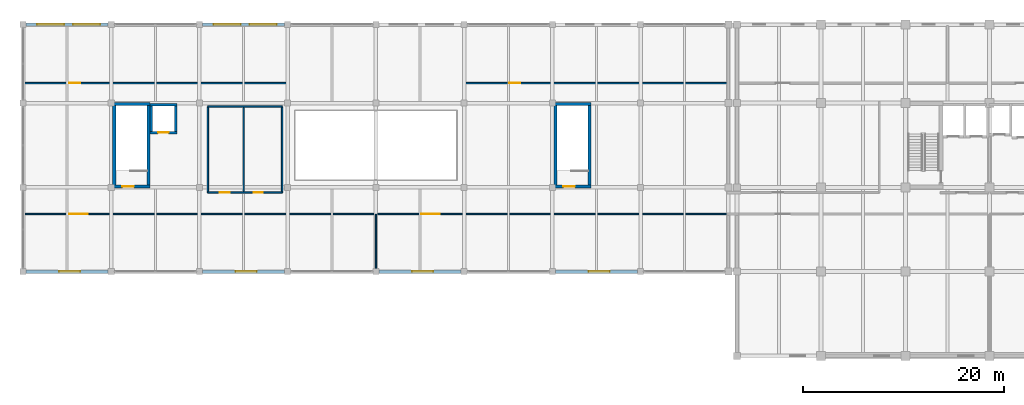
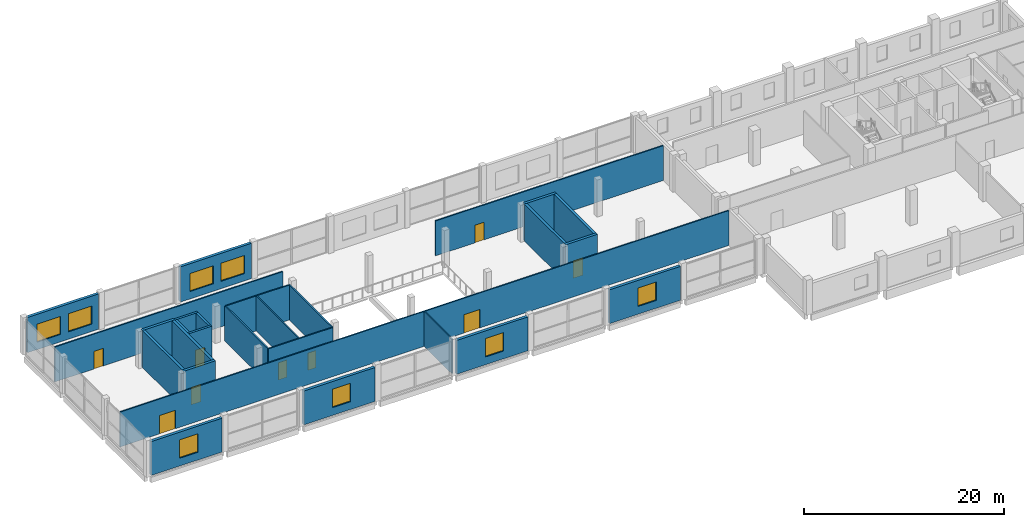
# One storey, part 13 of 18: 28 walls, 9 doors, 8 windows, 17 openings.
"""IFC4 building model written with IfcOpenShell, lengths in metres."""

from ifc_helpers import new_model, si_unit, direction, frame, frame_2d, origin, place, context, subcontext, project, spatial, rectangle, extrude, material, layer, layer_set, type_object, element, fill, save


model = new_model("IFC4")

# Units and contexts
model_context = context("Model", 3, precision=1e-05, world=origin(), true_north=direction((0.0, 1.0)))
body_context = subcontext(model_context, "Body", "Model", "MODEL_VIEW")
ifc_project = project(units=[si_unit("LENGTHUNIT", "METRE"), si_unit("AREAUNIT", "SQUARE_METRE"), si_unit("VOLUMEUNIT", "CUBIC_METRE"), si_unit("PLANEANGLEUNIT", "RADIAN"), si_unit("MASSUNIT", "GRAM", prefix="KILO")], contexts=[model_context])

# Site, building, storey
site_placement = place(None, origin())
site = spatial("IfcSite", under=ifc_project, at=site_placement, CompositionType="ELEMENT")
building_placement = place(site_placement, origin())
building = spatial("IfcBuilding", under=site, at=building_placement, Name="Brinegate Botanical Conservatory", CompositionType="ELEMENT")
storey_placement = place(building_placement, frame((0.0, 0.0, 14.699951171875)))
storey = spatial("IfcBuildingStorey", under=building, at=storey_placement, Name="L04", CompositionType="ELEMENT", Elevation=14.699951171875)

# Wall, openings, windows
ifc_material_1 = material(Name="Insulated Minnan red clay brick masonry", Category="masonry")
ifc_layer_1 = layer(ifc_material_1, 0.320068359375, Name="Insulated Minnan red clay brick masonry", Category="masonry")
ifc_layer_set_1 = layer_set([ifc_layer_1], Name="Insulated Minnan red clay brick masonry")
wall_type_1 = type_object("IfcWallType", Name="Wall_EW-320B", PredefinedType="STANDARD", material=ifc_layer_set_1)
wall_1_placement = place(storey_placement, frame((51.10009765625, 111.449951171875, 0.0), z_axis=(0.0, 0.0, 1.0), x_axis=(1.0, 0.0, 0.0)))
wall_1 = element("IfcWall", 1, at=wall_1_placement, inside=storey, type_object=wall_type_1, Name="Visitor north brick bay wall L04.1", PredefinedType="STANDARD", context=body_context, shape_type="SweptSolid", body=[
    extrude(rectangle(XDim=8.199951171875, YDim=0.320068359375, at=frame_2d((4.10009765625, 0.0))), origin(), (0.0, 0.0, 1.0), 4.300048828125),
])
opening_1_placement = place(wall_1_placement, frame((1.10009765625, 0.0, 0.89990234375)))
opening_1 = element("IfcOpeningElement", 2, at=opening_1_placement, cuts=wall_1, Name="Opening WN-10", PredefinedType="OPENING", context=body_context, shape_type="SweptSolid", body=[
    extrude(rectangle(XDim=2.699951171875, YDim=2.199951171875, at=frame_2d((1.35009765625, 1.10009765625))), frame((0.0, 0.169921875, 0.0), z_axis=(0.0, -1.0, 0.0), x_axis=(1.0, 0.0, 0.0)), (0.0, 0.0, 1.0), 0.340087890625),
])
opening_2_placement = place(wall_1_placement, frame((4.699951171875, 0.0, 0.89990234375)))
opening_2 = element("IfcOpeningElement", 3, at=opening_2_placement, cuts=wall_1, Name="Opening WN-10", PredefinedType="OPENING", context=body_context, shape_type="SweptSolid", body=[
    extrude(rectangle(XDim=2.699951171875, YDim=2.199951171875, at=frame_2d((1.35009765625, 1.10009765625))), frame((0.0, 0.169921875, 0.0), z_axis=(0.0, -1.0, 0.0), x_axis=(1.0, 0.0, 0.0)), (0.0, 0.0, 1.0), 0.340087890625),
])
ifc_material_2 = material(Name="Thermally broken aluminium-framed Low-E glass", Category="aluminium")
window_type_1 = type_object("IfcWindowType", Name="Win_WN-10", PartitioningType="TRIPLE_PANEL_VERTICAL", PredefinedType="WINDOW", material=ifc_material_2)
window_1_placement = place(opening_1_placement, origin())
window_1 = element("IfcWindow", 4, at=window_1_placement, inside=storey, type_object=window_type_1, Name="Visitor north window L04.1A", OverallHeight=2.199951171875, OverallWidth=2.699951171875, PartitioningType="TRIPLE_PANEL_VERTICAL", PredefinedType="WINDOW", context=body_context, shape_type="SweptSolid", body=[
    extrude(rectangle(XDim=2.699951171875, YDim=2.199951171875, at=frame_2d((1.35009765625, 1.10009765625))), frame((0.0, 0.030029296875, 0.0), z_axis=(0.0, -1.0, 0.0), x_axis=(1.0, 0.0, 0.0)), (0.0, 0.0, 1.0), 0.06005859375),
])
fill(opening_1, window_1)
window_2_placement = place(opening_2_placement, origin())
window_2 = element("IfcWindow", 5, at=window_2_placement, inside=storey, type_object=window_type_1, Name="Visitor north window L04.1B", OverallHeight=2.199951171875, OverallWidth=2.699951171875, PartitioningType="TRIPLE_PANEL_VERTICAL", PredefinedType="WINDOW", context=body_context, shape_type="SweptSolid", body=[
    extrude(rectangle(XDim=2.699951171875, YDim=2.199951171875, at=frame_2d((1.35009765625, 1.10009765625))), frame((0.0, 0.030029296875, 0.0), z_axis=(0.0, -1.0, 0.0), x_axis=(1.0, 0.0, 0.0)), (0.0, 0.0, 1.0), 0.06005859375),
])
fill(opening_2, window_2)

# Wall, opening, window
wall_2_placement = place(storey_placement, frame((59.300048828125, 86.800048828125, 0.0), z_axis=(0.0, 0.0, 1.0), x_axis=(-1.0, 0.0, 0.0)))
wall_2 = element("IfcWall", 6, at=wall_2_placement, inside=storey, type_object=wall_type_1, Name="Visitor south brick wall L04.1", PredefinedType="STANDARD", context=body_context, shape_type="SweptSolid", body=[
    extrude(rectangle(XDim=8.199951171875, YDim=0.320068359375, at=frame_2d((4.10009765625, 0.0))), origin(), (0.0, 0.0, 1.0), 4.125),
])
opening_3_placement = place(wall_2_placement, frame((2.800048828125, 0.0, 0.949951171875)))
opening_3 = element("IfcOpeningElement", 7, at=opening_3_placement, cuts=wall_2, Name="Opening WN-30", PredefinedType="OPENING", context=body_context, shape_type="SweptSolid", body=[
    extrude(rectangle(XDim=2.10009765625, YDim=2.25, at=frame_2d((1.050048828125, 1.125))), frame((0.0, 0.169921875, 0.0), z_axis=(0.0, -1.0, 0.0), x_axis=(1.0, 0.0, 0.0)), (0.0, 0.0, 1.0), 0.340087890625),
])
window_type_2 = type_object("IfcWindowType", Name="Win_WN-30", PartitioningType="DOUBLE_PANEL_VERTICAL", PredefinedType="WINDOW", material=ifc_material_2)
window_3_placement = place(opening_3_placement, origin())
window_3 = element("IfcWindow", 8, at=window_3_placement, inside=storey, type_object=window_type_2, Name="Visitor south court window L04.1", OverallHeight=2.25, OverallWidth=2.10009765625, PartitioningType="DOUBLE_PANEL_VERTICAL", PredefinedType="WINDOW", context=body_context, shape_type="SweptSolid", body=[
    extrude(rectangle(XDim=2.10009765625, YDim=2.25, at=frame_2d((1.050048828125, 1.125))), frame((0.0, 0.030029296875, 0.0), z_axis=(0.0, -1.0, 0.0), x_axis=(1.0, 0.0, 0.0)), (0.0, 0.0, 1.0), 0.06005859375),
])
fill(opening_3, window_3)

# Wall, openings, windows
wall_3_placement = place(storey_placement, frame((68.699951171875, 111.449951171875, 0.0), z_axis=(0.0, 0.0, 1.0), x_axis=(1.0, 0.0, 0.0)))
wall_3 = element("IfcWall", 9, at=wall_3_placement, inside=storey, type_object=wall_type_1, Name="Visitor north brick bay wall L04.3", PredefinedType="STANDARD", context=body_context, shape_type="SweptSolid", body=[
    extrude(rectangle(XDim=8.199951171875, YDim=0.320068359375, at=frame_2d((4.10009765625, 0.0))), origin(), (0.0, 0.0, 1.0), 4.300048828125),
])
opening_4_placement = place(wall_3_placement, frame((1.10009765625, 0.0, 0.89990234375)))
opening_4 = element("IfcOpeningElement", 10, at=opening_4_placement, cuts=wall_3, Name="Opening WN-10", PredefinedType="OPENING", context=body_context, shape_type="SweptSolid", body=[
    extrude(rectangle(XDim=2.699951171875, YDim=2.199951171875, at=frame_2d((1.35009765625, 1.10009765625))), frame((0.0, 0.169921875, 0.0), z_axis=(0.0, -1.0, 0.0), x_axis=(1.0, 0.0, 0.0)), (0.0, 0.0, 1.0), 0.340087890625),
])
opening_5_placement = place(wall_3_placement, frame((4.699951171875, 0.0, 0.89990234375)))
opening_5 = element("IfcOpeningElement", 11, at=opening_5_placement, cuts=wall_3, Name="Opening WN-10", PredefinedType="OPENING", context=body_context, shape_type="SweptSolid", body=[
    extrude(rectangle(XDim=2.699951171875, YDim=2.199951171875, at=frame_2d((1.35009765625, 1.10009765625))), frame((0.0, 0.169921875, 0.0), z_axis=(0.0, -1.0, 0.0), x_axis=(1.0, 0.0, 0.0)), (0.0, 0.0, 1.0), 0.340087890625),
])
window_4_placement = place(opening_4_placement, origin())
window_4 = element("IfcWindow", 12, at=window_4_placement, inside=storey, type_object=window_type_1, Name="Visitor north window L04.3A", OverallHeight=2.199951171875, OverallWidth=2.699951171875, PartitioningType="TRIPLE_PANEL_VERTICAL", PredefinedType="WINDOW", context=body_context, shape_type="SweptSolid", body=[
    extrude(rectangle(XDim=2.699951171875, YDim=2.199951171875, at=frame_2d((1.35009765625, 1.10009765625))), frame((0.0, 0.030029296875, 0.0), z_axis=(0.0, -1.0, 0.0), x_axis=(1.0, 0.0, 0.0)), (0.0, 0.0, 1.0), 0.06005859375),
])
fill(opening_4, window_4)
window_5_placement = place(opening_5_placement, origin())
window_5 = element("IfcWindow", 13, at=window_5_placement, inside=storey, type_object=window_type_1, Name="Visitor north window L04.3B", OverallHeight=2.199951171875, OverallWidth=2.699951171875, PartitioningType="TRIPLE_PANEL_VERTICAL", PredefinedType="WINDOW", context=body_context, shape_type="SweptSolid", body=[
    extrude(rectangle(XDim=2.699951171875, YDim=2.199951171875, at=frame_2d((1.35009765625, 1.10009765625))), frame((0.0, 0.030029296875, 0.0), z_axis=(0.0, -1.0, 0.0), x_axis=(1.0, 0.0, 0.0)), (0.0, 0.0, 1.0), 0.06005859375),
])
fill(opening_5, window_5)

# Wall, opening, window
wall_4_placement = place(storey_placement, frame((76.89990234375, 86.800048828125, 0.0), z_axis=(0.0, 0.0, 1.0), x_axis=(-1.0, 0.0, 0.0)))
wall_4 = element("IfcWall", 14, at=wall_4_placement, inside=storey, type_object=wall_type_1, Name="Visitor south brick wall L04.3", PredefinedType="STANDARD", context=body_context, shape_type="SweptSolid", body=[
    extrude(rectangle(XDim=8.199951171875, YDim=0.320068359375, at=frame_2d((4.10009765625, 0.0))), origin(), (0.0, 0.0, 1.0), 4.125),
])
opening_6_placement = place(wall_4_placement, frame((2.800048828125, 0.0, 0.949951171875)))
opening_6 = element("IfcOpeningElement", 15, at=opening_6_placement, cuts=wall_4, Name="Opening WN-30", PredefinedType="OPENING", context=body_context, shape_type="SweptSolid", body=[
    extrude(rectangle(XDim=2.10009765625, YDim=2.25, at=frame_2d((1.050048828125, 1.125))), frame((0.0, 0.169921875, 0.0), z_axis=(0.0, -1.0, 0.0), x_axis=(1.0, 0.0, 0.0)), (0.0, 0.0, 1.0), 0.340087890625),
])
window_6_placement = place(opening_6_placement, origin())
window_6 = element("IfcWindow", 16, at=window_6_placement, inside=storey, type_object=window_type_2, Name="Visitor south court window L04.3", OverallHeight=2.25, OverallWidth=2.10009765625, PartitioningType="DOUBLE_PANEL_VERTICAL", PredefinedType="WINDOW", context=body_context, shape_type="SweptSolid", body=[
    extrude(rectangle(XDim=2.10009765625, YDim=2.25, at=frame_2d((1.050048828125, 1.125))), frame((0.0, 0.030029296875, 0.0), z_axis=(0.0, -1.0, 0.0), x_axis=(1.0, 0.0, 0.0)), (0.0, 0.0, 1.0), 0.06005859375),
])
fill(opening_6, window_6)

wall_5_placement = place(storey_placement, frame((94.5, 86.800048828125, 0.0), z_axis=(0.0, 0.0, 1.0), x_axis=(-1.0, 0.0, 0.0)))
wall_5 = element("IfcWall", 17, at=wall_5_placement, inside=storey, type_object=wall_type_1, Name="Visitor south brick wall L04.5", PredefinedType="STANDARD", context=body_context, shape_type="SweptSolid", body=[
    extrude(rectangle(XDim=8.199951171875, YDim=0.320068359375, at=frame_2d((4.10009765625, 0.0))), origin(), (0.0, 0.0, 1.0), 4.125),
])
opening_7_placement = place(wall_5_placement, frame((2.800048828125, 0.0, 0.949951171875)))
opening_7 = element("IfcOpeningElement", 18, at=opening_7_placement, cuts=wall_5, Name="Opening WN-30", PredefinedType="OPENING", context=body_context, shape_type="SweptSolid", body=[
    extrude(rectangle(XDim=2.10009765625, YDim=2.25, at=frame_2d((1.050048828125, 1.125))), frame((0.0, 0.169921875, 0.0), z_axis=(0.0, -1.0, 0.0), x_axis=(1.0, 0.0, 0.0)), (0.0, 0.0, 1.0), 0.340087890625),
])
window_7_placement = place(opening_7_placement, origin())
window_7 = element("IfcWindow", 19, at=window_7_placement, inside=storey, type_object=window_type_2, Name="Visitor south court window L04.5", OverallHeight=2.25, OverallWidth=2.10009765625, PartitioningType="DOUBLE_PANEL_VERTICAL", PredefinedType="WINDOW", context=body_context, shape_type="SweptSolid", body=[
    extrude(rectangle(XDim=2.10009765625, YDim=2.25, at=frame_2d((1.050048828125, 1.125))), frame((0.0, 0.030029296875, 0.0), z_axis=(0.0, -1.0, 0.0), x_axis=(1.0, 0.0, 0.0)), (0.0, 0.0, 1.0), 0.06005859375),
])
fill(opening_7, window_7)

wall_6_placement = place(storey_placement, frame((112.10009765625, 86.800048828125, 0.0), z_axis=(0.0, 0.0, 1.0), x_axis=(-1.0, 0.0, 0.0)))
wall_6 = element("IfcWall", 20, at=wall_6_placement, inside=storey, type_object=wall_type_1, Name="Visitor south brick wall L04.7", PredefinedType="STANDARD", context=body_context, shape_type="SweptSolid", body=[
    extrude(rectangle(XDim=8.2001953125, YDim=0.320068359375, at=frame_2d((4.10009765625, 0.0))), origin(), (0.0, 0.0, 1.0), 4.125),
])
opening_8_placement = place(wall_6_placement, frame((2.800048828125, 0.0, 0.949951171875)))
opening_8 = element("IfcOpeningElement", 21, at=opening_8_placement, cuts=wall_6, Name="Opening WN-30", PredefinedType="OPENING", context=body_context, shape_type="SweptSolid", body=[
    extrude(rectangle(XDim=2.10009765625, YDim=2.25, at=frame_2d((1.050048828125, 1.125))), frame((0.0, 0.169921875, 0.0), z_axis=(0.0, -1.0, 0.0), x_axis=(1.0, 0.0, 0.0)), (0.0, 0.0, 1.0), 0.340087890625),
])
window_8_placement = place(opening_8_placement, origin())
window_8 = element("IfcWindow", 22, at=window_8_placement, inside=storey, type_object=window_type_2, Name="Visitor south court window L04.7", OverallHeight=2.25, OverallWidth=2.10009765625, PartitioningType="DOUBLE_PANEL_VERTICAL", PredefinedType="WINDOW", context=body_context, shape_type="SweptSolid", body=[
    extrude(rectangle(XDim=2.10009765625, YDim=2.25, at=frame_2d((1.050048828125, 1.125))), frame((0.0, 0.030029296875, 0.0), z_axis=(0.0, -1.0, 0.0), x_axis=(1.0, 0.0, 0.0)), (0.0, 0.0, 1.0), 0.06005859375),
])
fill(opening_8, window_8)

# Walls
ifc_material_3 = material(Name="Gypsum-clad steel-stud partition", Category="steel")
ifc_layer_2 = layer(ifc_material_3, 0.135009765625, Name="Gypsum-clad steel-stud partition", Category="steel")
ifc_layer_set_2 = layer_set([ifc_layer_2], Name="Gypsum-clad steel-stud partition")
wall_type_2 = type_object("IfcWallType", Name="Wall_PW-135", PredefinedType="PARTITIONING", material=ifc_layer_set_2)
wall_7_placement = place(storey_placement, frame((72.820068359375, 94.679931640625, 0.0), z_axis=(0.0, 0.0, 1.0), x_axis=(0.0, 1.0, 0.0)))
element("IfcWall", 23, at=wall_7_placement, inside=storey, type_object=wall_type_2, Name="Interior partition P-L04-V3-WCD", PredefinedType="PARTITIONING", context=body_context, shape_type="SweptSolid", body=[
    extrude(rectangle(XDim=8.570068359375, YDim=0.135009765625, at=frame_2d((4.28515625, 0.0))), origin(), (0.0, 0.0, 1.0), 4.25),
])
wall_8_placement = place(storey_placement, frame((86.0, 86.949951171875, 0.0), z_axis=(0.0, 0.0, 1.0), x_axis=(0.0, 1.0, 0.0)))
element("IfcWall", 24, at=wall_8_placement, inside=storey, type_object=wall_type_2, Name="Interior partition P-L04-VSD-V3-READ2", PredefinedType="PARTITIONING", context=body_context, shape_type="SweptSolid", body=[
    extrude(rectangle(XDim=5.60009765625, YDim=0.135009765625, at=frame_2d((2.800048828125, 0.0))), origin(), (0.0, 0.0, 1.0), 4.25),
])

# Wall, opening, door
ifc_material_4 = material(Name="Gypsum-clad acoustic steel-stud partition", Category="steel")
ifc_layer_3 = layer(ifc_material_4, 0.14501953125, Name="Gypsum-clad acoustic steel-stud partition", Category="steel")
ifc_layer_set_3 = layer_set([ifc_layer_3], Name="Gypsum-clad acoustic steel-stud partition")
wall_type_3 = type_object("IfcWallType", Name="Wall_PW-150", PredefinedType="PARTITIONING", material=ifc_layer_set_3)
wall_9_placement = place(storey_placement, frame((50.919921875, 92.550048828125, 0.0), z_axis=(0.0, 0.0, 1.0), x_axis=(1.0, 0.0, 0.0)))
wall_9 = element("IfcWall", 25, at=wall_9_placement, inside=storey, type_object=wall_type_3, Name="Interior partition P-L04-V3-READ1", PredefinedType="PARTITIONING", context=body_context, shape_type="SweptSolid", body=[
    extrude(rectangle(XDim=35.080078125, YDim=0.14501953125, at=frame_2d((17.5400390625, 0.0))), origin(), (0.0, 0.0, 1.0), 4.25),
])
opening_9_placement = place(wall_9_placement, frame((4.5, 0.0, 0.0)))
opening_9 = element("IfcOpeningElement", 26, at=opening_9_placement, cuts=wall_9, Name="Opening DR-DBL1", PredefinedType="OPENING", context=body_context, shape_type="SweptSolid", body=[
    extrude(rectangle(XDim=1.85009765625, YDim=2.25, at=frame_2d((0.925048828125, 1.125))), frame((0.0, 0.08251953125, 0.0), z_axis=(0.0, -1.0, 0.0), x_axis=(1.0, 0.0, 0.0)), (0.0, 0.0, 1.0), 0.1650390625),
])
ifc_material_5 = material(Name="Anodised aluminium and safety glass", Category="aluminium")
door_type_1 = type_object("IfcDoorType", Name="Door_DR-DBL1", OperationType="NOTDEFINED", PredefinedType="DOOR", material=ifc_material_5)
door_1_placement = place(opening_9_placement, origin())
door_1 = element("IfcDoor", 27, at=door_1_placement, inside=storey, type_object=door_type_1, Name="DR-P-L04-V3-READ1-1", OperationType="SINGLE_SWING_LEFT", OverallHeight=2.25, OverallWidth=1.85009765625, PredefinedType="DOOR", context=body_context, shape_type="SweptSolid", body=[
    extrude(rectangle(XDim=1.85009765625, YDim=2.25, at=frame_2d((0.925048828125, 1.125))), frame((0.0, 0.02490234375, 0.0), z_axis=(0.0, -1.0, 0.0), x_axis=(1.0, 0.0, 0.0)), (0.0, 0.0, 1.0), 0.050048828125),
])
fill(opening_9, door_1)

wall_10_placement = place(storey_placement, frame((86.0, 92.550048828125, 0.0), z_axis=(0.0, 0.0, 1.0), x_axis=(1.0, 0.0, 0.0)))
wall_10 = element("IfcWall", 28, at=wall_10_placement, inside=storey, type_object=wall_type_3, Name="Interior partition P-L04-V3-READ2", PredefinedType="PARTITIONING", context=body_context, shape_type="SweptSolid", body=[
    extrude(rectangle(XDim=35.02001953125, YDim=0.14501953125, at=frame_2d((17.510009765625, 0.0))), origin(), (0.0, 0.0, 1.0), 4.25),
])
opening_10_placement = place(wall_10_placement, frame((4.5, 0.0, 0.0)))
opening_10 = element("IfcOpeningElement", 29, at=opening_10_placement, cuts=wall_10, Name="Opening DR-DBL1", PredefinedType="OPENING", context=body_context, shape_type="SweptSolid", body=[
    extrude(rectangle(XDim=1.85009765625, YDim=2.25, at=frame_2d((0.925048828125, 1.125))), frame((0.0, 0.08251953125, 0.0), z_axis=(0.0, -1.0, 0.0), x_axis=(1.0, 0.0, 0.0)), (0.0, 0.0, 1.0), 0.1650390625),
])
door_2_placement = place(opening_10_placement, origin())
door_2 = element("IfcDoor", 30, at=door_2_placement, inside=storey, type_object=door_type_1, Name="DR-P-L04-V3-READ2-1", OperationType="SINGLE_SWING_LEFT", OverallHeight=2.25, OverallWidth=1.85009765625, PredefinedType="DOOR", context=body_context, shape_type="SweptSolid", body=[
    extrude(rectangle(XDim=1.85009765625, YDim=2.25, at=frame_2d((0.925048828125, 1.125))), frame((0.0, 0.02490234375, 0.0), z_axis=(0.0, -1.0, 0.0), x_axis=(1.0, 0.0, 0.0)), (0.0, 0.0, 1.0), 0.050048828125),
])
fill(opening_10, door_2)

wall_11_placement = place(storey_placement, frame((50.919921875, 105.60009765625, 0.0), z_axis=(0.0, 0.0, 1.0), x_axis=(1.0, 0.0, 0.0)))
wall_11 = element("IfcWall", 31, at=wall_11_placement, inside=storey, type_object=wall_type_3, Name="Interior partition P-L04-V3-SEM1", PredefinedType="PARTITIONING", context=body_context, shape_type="SweptSolid", body=[
    extrude(rectangle(XDim=26.280029296875, YDim=0.14501953125, at=frame_2d((13.14013671875, 0.0))), origin(), (0.0, 0.0, 1.0), 4.25),
])
opening_11_placement = place(wall_11_placement, frame((4.5, 0.0, 0.0)))
opening_11 = element("IfcOpeningElement", 32, at=opening_11_placement, cuts=wall_11, Name="Opening DR-01", PredefinedType="OPENING", context=body_context, shape_type="SweptSolid", body=[
    extrude(rectangle(XDim=1.080078125, YDim=2.14990234375, at=frame_2d((0.5400390625, 1.074951171875))), frame((0.0, 0.08251953125, 0.0), z_axis=(0.0, -1.0, 0.0), x_axis=(1.0, 0.0, 0.0)), (0.0, 0.0, 1.0), 0.1650390625),
])
ifc_material_6 = material(Name="Hardwood timber acoustic leaf", Category="wood")
door_type_2 = type_object("IfcDoorType", Name="Door_DR-01", OperationType="NOTDEFINED", PredefinedType="DOOR", material=ifc_material_6)
door_3_placement = place(opening_11_placement, origin())
door_3 = element("IfcDoor", 33, at=door_3_placement, inside=storey, type_object=door_type_2, Name="DR-P-L04-V3-SEM1-1", OperationType="SINGLE_SWING_RIGHT", OverallHeight=2.14990234375, OverallWidth=1.080078125, PredefinedType="DOOR", context=body_context, shape_type="SweptSolid", body=[
    extrude(rectangle(XDim=1.080078125, YDim=2.14990234375, at=frame_2d((0.5400390625, 1.074951171875))), frame((0.0, 0.02490234375, 0.0), z_axis=(0.0, -1.0, 0.0), x_axis=(1.0, 0.0, 0.0)), (0.0, 0.0, 1.0), 0.050048828125),
])
fill(opening_11, door_3)

wall_12_placement = place(storey_placement, frame((94.800048828125, 105.60009765625, 0.0), z_axis=(0.0, 0.0, 1.0), x_axis=(1.0, 0.0, 0.0)))
wall_12 = element("IfcWall", 34, at=wall_12_placement, inside=storey, type_object=wall_type_3, Name="Interior partition P-L04-V3-ARCH1", PredefinedType="PARTITIONING", context=body_context, shape_type="SweptSolid", body=[
    extrude(rectangle(XDim=26.219970703125, YDim=0.14501953125, at=frame_2d((13.10986328125, 0.0))), origin(), (0.0, 0.0, 1.0), 4.25),
])
opening_12_placement = place(wall_12_placement, frame((4.5, 0.0, 0.0)))
opening_12 = element("IfcOpeningElement", 35, at=opening_12_placement, cuts=wall_12, Name="Opening DR-01", PredefinedType="OPENING", context=body_context, shape_type="SweptSolid", body=[
    extrude(rectangle(XDim=1.080078125, YDim=2.14990234375, at=frame_2d((0.5400390625, 1.074951171875))), frame((0.0, 0.08251953125, 0.0), z_axis=(0.0, -1.0, 0.0), x_axis=(1.0, 0.0, 0.0)), (0.0, 0.0, 1.0), 0.1650390625),
])
door_4_placement = place(opening_12_placement, origin())
door_4 = element("IfcDoor", 36, at=door_4_placement, inside=storey, type_object=door_type_2, Name="DR-P-L04-V3-ARCH1-1", OperationType="SINGLE_SWING_RIGHT", OverallHeight=2.14990234375, OverallWidth=1.080078125, PredefinedType="DOOR", context=body_context, shape_type="SweptSolid", body=[
    extrude(rectangle(XDim=1.080078125, YDim=2.14990234375, at=frame_2d((0.5400390625, 1.074951171875))), frame((0.0, 0.02490234375, 0.0), z_axis=(0.0, -1.0, 0.0), x_axis=(1.0, 0.0, 0.0)), (0.0, 0.0, 1.0), 0.050048828125),
])
fill(opening_12, door_4)

# Wall, openings, doors
ifc_material_7 = material(Name="Moisture-resistant cement-board partition", Category="gypsum")
ifc_layer_4 = layer(ifc_material_7, 0.14990234375, Name="Moisture-resistant cement-board partition", Category="gypsum")
ifc_layer_set_4 = layer_set([ifc_layer_4], Name="Moisture-resistant cement-board partition")
wall_type_4 = type_object("IfcWallType", Name="Wall_PW-150W", PredefinedType="PARTITIONING", material=ifc_layer_set_4)
wall_13_placement = place(storey_placement, frame((69.25, 94.679931640625, 0.0), z_axis=(0.0, 0.0, 1.0), x_axis=(1.0, 0.0, 0.0)))
wall_13 = element("IfcWall", 37, at=wall_13_placement, inside=storey, type_object=wall_type_4, Name="Interior partition P-L04-V3-WCS", PredefinedType="PARTITIONING", context=body_context, shape_type="SweptSolid", body=[
    extrude(rectangle(XDim=7.39990234375, YDim=0.14990234375, at=frame_2d((3.699951171875, 0.0))), origin(), (0.0, 0.0, 1.0), 4.25),
])
opening_13_placement = place(wall_13_placement, frame((1.14990234375, 0.0, 0.0)))
opening_13 = element("IfcOpeningElement", 38, at=opening_13_placement, cuts=wall_13, Name="Opening DR-ACC", PredefinedType="OPENING", context=body_context, shape_type="SweptSolid", body=[
    extrude(rectangle(XDim=1.0, YDim=2.1201171875, at=frame_2d((0.5, 1.06005859375))), frame((0.0, 0.0849609375, 0.0), z_axis=(0.0, -1.0, 0.0), x_axis=(1.0, 0.0, 0.0)), (0.0, 0.0, 1.0), 0.169921875),
])
opening_14_placement = place(wall_13_placement, frame((4.550048828125, 0.0, 0.0)))
opening_14 = element("IfcOpeningElement", 39, at=opening_14_placement, cuts=wall_13, Name="Opening DR-04", PredefinedType="OPENING", context=body_context, shape_type="SweptSolid", body=[
    extrude(rectangle(XDim=0.919921875, YDim=2.10009765625, at=frame_2d((0.4599609375, 1.050048828125))), frame((0.0, 0.0849609375, 0.0), z_axis=(0.0, -1.0, 0.0), x_axis=(1.0, 0.0, 0.0)), (0.0, 0.0, 1.0), 0.169921875),
])
ifc_material_8 = material(Name="Moisture-resistant laminate timber leaf", Category="wood")
door_type_3 = type_object("IfcDoorType", Name="Door_DR-04", OperationType="NOTDEFINED", PredefinedType="DOOR", material=ifc_material_8)
door_5_placement = place(opening_14_placement, origin())
door_5 = element("IfcDoor", 40, at=door_5_placement, inside=storey, type_object=door_type_3, Name="DR-P-L04-V3-WCS-2", OperationType="SINGLE_SWING_LEFT", OverallHeight=2.10009765625, OverallWidth=0.919921875, PredefinedType="DOOR", context=body_context, shape_type="SweptSolid", body=[
    extrude(rectangle(XDim=0.919921875, YDim=2.10009765625, at=frame_2d((0.4599609375, 1.050048828125))), frame((0.0, 0.02490234375, 0.0), z_axis=(0.0, -1.0, 0.0), x_axis=(1.0, 0.0, 0.0)), (0.0, 0.0, 1.0), 0.050048828125),
])
fill(opening_14, door_5)
ifc_material_9 = material(Name="Moisture-resistant barrier-free timber leaf", Category="wood")
door_type_4 = type_object("IfcDoorType", Name="Door_DR-ACC", OperationType="NOTDEFINED", PredefinedType="DOOR", material=ifc_material_9)
door_6_placement = place(opening_13_placement, origin())
door_6 = element("IfcDoor", 41, at=door_6_placement, inside=storey, type_object=door_type_4, Name="DR-P-L04-V3-WCS-1", OperationType="SINGLE_SWING_RIGHT", OverallHeight=2.1201171875, OverallWidth=1.0, PredefinedType="DOOR", context=body_context, shape_type="SweptSolid", body=[
    extrude(rectangle(XDim=1.0, YDim=2.1201171875, at=frame_2d((0.5, 1.06005859375))), frame((0.0, 0.02490234375, 0.0), z_axis=(0.0, -1.0, 0.0), x_axis=(1.0, 0.0, 0.0)), (0.0, 0.0, 1.0), 0.050048828125),
])
fill(opening_13, door_6)

# Walls
wall_14_placement = place(storey_placement, frame((69.25, 94.679931640625, 0.0), z_axis=(0.0, 0.0, 1.0), x_axis=(0.0, 1.0, 0.0)))
element("IfcWall", 42, at=wall_14_placement, inside=storey, type_object=wall_type_4, Name="Interior partition P-L04-V3-WCW", PredefinedType="PARTITIONING", context=body_context, shape_type="SweptSolid", body=[
    extrude(rectangle(XDim=8.570068359375, YDim=0.14990234375, at=frame_2d((4.28515625, 0.0))), origin(), (0.0, 0.0, 1.0), 4.25),
])
wall_15_placement = place(storey_placement, frame((69.25, 103.25, 0.0), z_axis=(0.0, 0.0, 1.0), x_axis=(1.0, 0.0, 0.0)))
element("IfcWall", 43, at=wall_15_placement, inside=storey, type_object=wall_type_4, Name="Interior partition P-L04-V3-WCN", PredefinedType="PARTITIONING", context=body_context, shape_type="SweptSolid", body=[
    extrude(rectangle(XDim=7.39990234375, YDim=0.14990234375, at=frame_2d((3.699951171875, 0.0))), origin(), (0.0, 0.0, 1.0), 4.25),
])
wall_16_placement = place(storey_placement, frame((76.64990234375, 94.679931640625, 0.0), z_axis=(0.0, 0.0, 1.0), x_axis=(0.0, 1.0, 0.0)))
element("IfcWall", 44, at=wall_16_placement, inside=storey, type_object=wall_type_4, Name="Interior partition P-L04-V3-WCE", PredefinedType="PARTITIONING", context=body_context, shape_type="SweptSolid", body=[
    extrude(rectangle(XDim=8.570068359375, YDim=0.14990234375, at=frame_2d((4.28515625, 0.0))), origin(), (0.0, 0.0, 1.0), 4.25),
])

# Wall, opening, door
ifc_material_10 = material(Name="Concrete C40/50", Category="concrete")
ifc_layer_5 = layer(ifc_material_10, 0.25, Name="Concrete C40/50", Category="concrete")
ifc_layer_set_5 = layer_set([ifc_layer_5], Name="Concrete C40/50")
wall_type_5 = type_object("IfcWallType", Name="Wall_SW-250", PredefinedType="SHEAR", material=ifc_layer_set_5)
wall_17_placement = place(storey_placement, frame((63.449951171875, 100.675048828125, 0.0), z_axis=(0.0, 0.0, 1.0), x_axis=(1.0, 0.0, 0.0)))
wall_17 = element("IfcWall", 45, at=wall_17_placement, inside=storey, type_object=wall_type_5, Name="Lift shaft LF5 shear wall L04 S", PredefinedType="SHEAR", context=body_context, shape_type="SweptSolid", body=[
    extrude(rectangle(XDim=2.699951171875, YDim=0.25, at=frame_2d((1.35009765625, 0.0))), origin(), (0.0, 0.0, 1.0), 4.5),
])
opening_15_placement = place(wall_17_placement, frame((0.830078125, 0.0, 0.0)))
opening_15 = element("IfcOpeningElement", 46, at=opening_15_placement, cuts=wall_17, Name="Opening LD-05", PredefinedType="OPENING", context=body_context, shape_type="SweptSolid", body=[
    extrude(rectangle(XDim=1.0400390625, YDim=2.14990234375, at=frame_2d((0.52001953125, 1.074951171875))), frame((0.0, 0.135009765625, 0.0), z_axis=(0.0, -1.0, 0.0), x_axis=(1.0, 0.0, 0.0)), (0.0, 0.0, 1.0), 0.27001953125),
])
ifc_material_11 = material(Name="Brushed stainless steel S355 landing door", Category="steel")
door_type_5 = type_object("IfcDoorType", Name="Door_LD-05", OperationType="SLIDING_TO_LEFT", PredefinedType="DOOR", material=ifc_material_11)
door_7_placement = place(opening_15_placement, origin())
door_7 = element("IfcDoor", 47, at=door_7_placement, inside=storey, type_object=door_type_5, Name="LD-LF5-L04", OperationType="SLIDING_TO_LEFT", OverallHeight=2.14990234375, OverallWidth=1.0400390625, PredefinedType="DOOR", context=body_context, shape_type="SweptSolid", body=[
    extrude(rectangle(XDim=1.0400390625, YDim=2.14990234375, at=frame_2d((0.52001953125, 1.074951171875))), frame((0.0, 0.02490234375, 0.0), z_axis=(0.0, -1.0, 0.0), x_axis=(1.0, 0.0, 0.0)), (0.0, 0.0, 1.0), 0.050048828125),
])
fill(opening_15, door_7)

# Walls
wall_18_placement = place(storey_placement, frame((63.449951171875, 103.425048828125, 0.0), z_axis=(0.0, 0.0, 1.0), x_axis=(1.0, 0.0, 0.0)))
element("IfcWall", 48, at=wall_18_placement, inside=storey, type_object=wall_type_5, Name="Lift shaft LF5 shear wall L04 N", PredefinedType="SHEAR", context=body_context, shape_type="SweptSolid", body=[
    extrude(rectangle(XDim=2.699951171875, YDim=0.25, at=frame_2d((1.35009765625, 0.0))), origin(), (0.0, 0.0, 1.0), 4.5),
])
for number, where, z_axis, x_axis, name in (
    (49, (63.574951171875, 100.800048828125, 0.0), (0.0, 0.0, 1.0), (0.0, 1.0, 0.0), "Lift shaft LF5 shear wall L04 W"),
    (50, (66.02490234375, 100.800048828125, 0.0), (0.0, 0.0, 1.0), (0.0, 1.0, 0.0), "Lift shaft LF5 shear wall L04 E"),
):
    element("IfcWall", number, at=place(storey_placement, frame(where, z_axis=z_axis, x_axis=x_axis)), inside=storey, type_object=wall_type_5, Name=name, PredefinedType="SHEAR", context=body_context, shape_type="SweptSolid", body=[
        extrude(rectangle(XDim=2.5, YDim=0.25, at=frame_2d((1.25, 0.0))), origin(), (0.0, 0.0, 1.0), 4.5),
    ])

# Wall, opening, door
ifc_layer_6 = layer(ifc_material_10, 0.300048828125, Name="Concrete C40/50", Category="concrete")
ifc_layer_set_6 = layer_set([ifc_layer_6], Name="Concrete C40/50")
wall_type_6 = type_object("IfcWallType", Name="Wall_SW-300", PredefinedType="SHEAR", material=ifc_layer_set_6)
wall_19_placement = place(storey_placement, frame((59.75, 95.300048828125, 0.0), z_axis=(0.0, 0.0, 1.0), x_axis=(1.0, 0.0, 0.0)))
wall_19 = element("IfcWall", 51, at=wall_19_placement, inside=storey, type_object=wall_type_6, Name="Stairwell ST3 shear wall L04 S", PredefinedType="SHEAR", context=body_context, shape_type="SweptSolid", body=[
    extrude(rectangle(XDim=3.699951171875, YDim=0.300048828125, at=frame_2d((1.85009765625, 0.0))), origin(), (0.0, 0.0, 1.0), 4.5),
])
opening_16_placement = place(wall_19_placement, frame((0.949951171875, 0.0, 0.0)))
opening_16 = element("IfcOpeningElement", 52, at=opening_16_placement, cuts=wall_19, Name="Opening FD-B3", PredefinedType="OPENING", context=body_context, shape_type="SweptSolid", body=[
    extrude(rectangle(XDim=1.14990234375, YDim=2.14990234375, at=frame_2d((0.574951171875, 1.074951171875))), frame((0.0, 0.159912109375, 0.0), z_axis=(0.0, -1.0, 0.0), x_axis=(1.0, 0.0, 0.0)), (0.0, 0.0, 1.0), 0.320068359375),
])
ifc_material_12 = material(Name="Steel stairwell fire door", Category="steel")
door_type_6 = type_object("IfcDoorType", Name="Door_FD-B3", OperationType="NOTDEFINED", PredefinedType="DOOR", material=ifc_material_12)
door_8_placement = place(opening_16_placement, origin())
door_8 = element("IfcDoor", 53, at=door_8_placement, inside=storey, type_object=door_type_6, Name="DR-ST-ST3-L04", OperationType="SINGLE_SWING_RIGHT", OverallHeight=2.14990234375, OverallWidth=1.14990234375, PredefinedType="DOOR", context=body_context, shape_type="SweptSolid", body=[
    extrude(rectangle(XDim=1.14990234375, YDim=2.14990234375, at=frame_2d((0.574951171875, 1.074951171875))), frame((0.0, 0.02490234375, 0.0), z_axis=(0.0, -1.0, 0.0), x_axis=(1.0, 0.0, 0.0)), (0.0, 0.0, 1.0), 0.050048828125),
])
fill(opening_16, door_8)

# Walls
wall_20_placement = place(storey_placement, frame((59.75, 103.5, 0.0), z_axis=(0.0, 0.0, 1.0), x_axis=(1.0, 0.0, 0.0)))
element("IfcWall", 54, at=wall_20_placement, inside=storey, type_object=wall_type_6, Name="Stairwell ST3 shear wall L04 N", PredefinedType="SHEAR", context=body_context, shape_type="SweptSolid", body=[
    extrude(rectangle(XDim=3.699951171875, YDim=0.300048828125, at=frame_2d((1.85009765625, 0.0))), origin(), (0.0, 0.0, 1.0), 4.5),
])
for number, where, z_axis, x_axis, name in (
    (55, (59.89990234375, 95.449951171875, 0.0), (0.0, 0.0, 1.0), (0.0, 1.0, 0.0), "Stairwell ST3 shear wall L04 W"),
    (56, (63.300048828125, 95.449951171875, 0.0), (0.0, 0.0, 1.0), (0.0, 1.0, 0.0), "Stairwell ST3 shear wall L04 E"),
):
    element("IfcWall", number, at=place(storey_placement, frame(where, z_axis=z_axis, x_axis=x_axis)), inside=storey, type_object=wall_type_6, Name=name, PredefinedType="SHEAR", context=body_context, shape_type="SweptSolid", body=[
        extrude(rectangle(XDim=7.900146484375, YDim=0.300048828125, at=frame_2d((3.9501953125, 0.0))), origin(), (0.0, 0.0, 1.0), 4.5),
    ])

# Wall, opening, door
wall_21_placement = place(storey_placement, frame((103.75, 95.300048828125, 0.0), z_axis=(0.0, 0.0, 1.0), x_axis=(1.0, 0.0, 0.0)))
wall_21 = element("IfcWall", 57, at=wall_21_placement, inside=storey, type_object=wall_type_6, Name="Stairwell ST4 shear wall L04 S", PredefinedType="SHEAR", context=body_context, shape_type="SweptSolid", body=[
    extrude(rectangle(XDim=3.699951171875, YDim=0.300048828125, at=frame_2d((1.85009765625, 0.0))), origin(), (0.0, 0.0, 1.0), 4.5),
])
opening_17_placement = place(wall_21_placement, frame((0.949951171875, 0.0, 0.0)))
opening_17 = element("IfcOpeningElement", 58, at=opening_17_placement, cuts=wall_21, Name="Opening FD-B3", PredefinedType="OPENING", context=body_context, shape_type="SweptSolid", body=[
    extrude(rectangle(XDim=1.14990234375, YDim=2.14990234375, at=frame_2d((0.574951171875, 1.074951171875))), frame((0.0, 0.159912109375, 0.0), z_axis=(0.0, -1.0, 0.0), x_axis=(1.0, 0.0, 0.0)), (0.0, 0.0, 1.0), 0.320068359375),
])
door_9_placement = place(opening_17_placement, origin())
door_9 = element("IfcDoor", 59, at=door_9_placement, inside=storey, type_object=door_type_6, Name="DR-ST-ST4-L04", OperationType="SINGLE_SWING_RIGHT", OverallHeight=2.14990234375, OverallWidth=1.14990234375, PredefinedType="DOOR", context=body_context, shape_type="SweptSolid", body=[
    extrude(rectangle(XDim=1.14990234375, YDim=2.14990234375, at=frame_2d((0.574951171875, 1.074951171875))), frame((0.0, 0.02490234375, 0.0), z_axis=(0.0, -1.0, 0.0), x_axis=(1.0, 0.0, 0.0)), (0.0, 0.0, 1.0), 0.050048828125),
])
fill(opening_17, door_9)

# Walls
wall_22_placement = place(storey_placement, frame((103.75, 103.5, 0.0), z_axis=(0.0, 0.0, 1.0), x_axis=(1.0, 0.0, 0.0)))
element("IfcWall", 60, at=wall_22_placement, inside=storey, type_object=wall_type_6, Name="Stairwell ST4 shear wall L04 N", PredefinedType="SHEAR", context=body_context, shape_type="SweptSolid", body=[
    extrude(rectangle(XDim=3.699951171875, YDim=0.300048828125, at=frame_2d((1.85009765625, 0.0))), origin(), (0.0, 0.0, 1.0), 4.5),
])
for number, where, z_axis, x_axis, name in (
    (61, (103.89990234375, 95.449951171875, 0.0), (0.0, 0.0, 1.0), (0.0, 1.0, 0.0), "Stairwell ST4 shear wall L04 W"),
    (62, (107.300048828125, 95.449951171875, 0.0), (0.0, 0.0, 1.0), (0.0, 1.0, 0.0), "Stairwell ST4 shear wall L04 E"),
):
    element("IfcWall", number, at=place(storey_placement, frame(where, z_axis=z_axis, x_axis=x_axis)), inside=storey, type_object=wall_type_6, Name=name, PredefinedType="SHEAR", context=body_context, shape_type="SweptSolid", body=[
        extrude(rectangle(XDim=7.900146484375, YDim=0.300048828125, at=frame_2d((3.9501953125, 0.0))), origin(), (0.0, 0.0, 1.0), 4.5),
    ])

save(model, "model.ifc")
